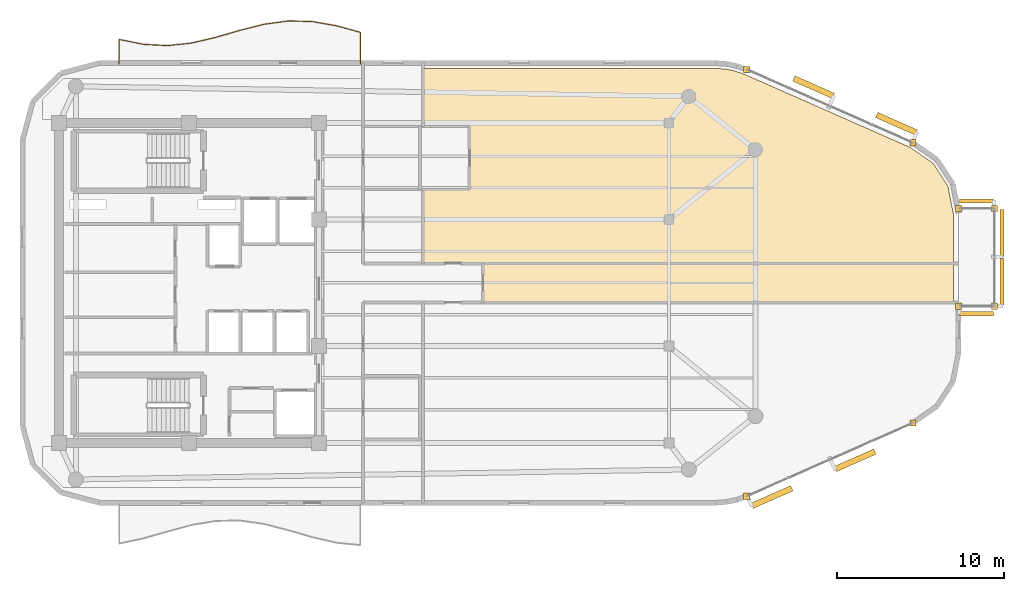
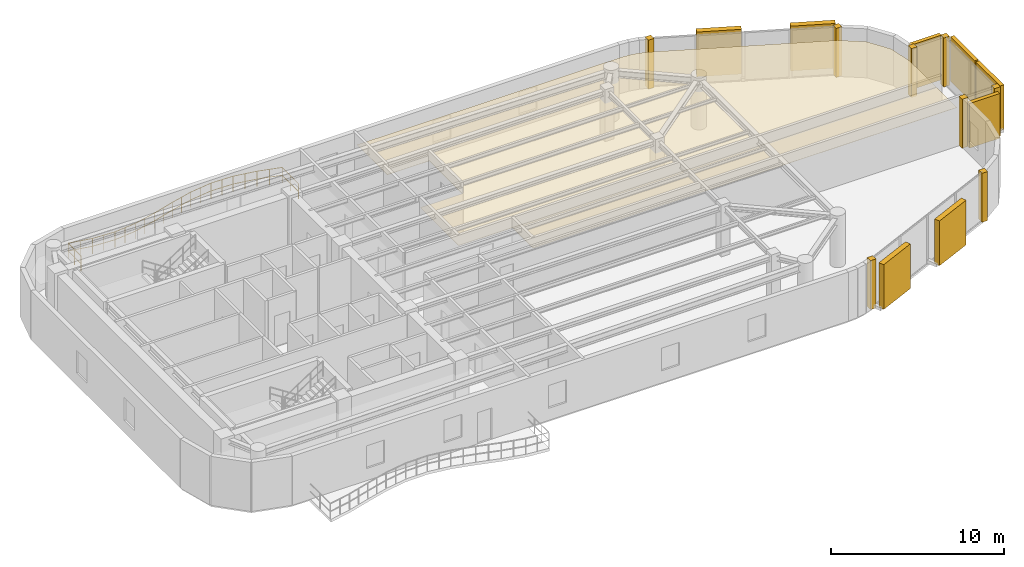
# One storey, part 13 of 13: 10 coverings, 8 shading devices, 1 railing.
"""IFC4 building model written with IfcOpenShell, lengths in metres."""

from ifc_helpers import new_model, si_unit, direction, frame, origin, origin_2d, place, context, subcontext, project, spatial, polyline, rectangle, circle, outline, extrude, material, layer, layer_set, type_object, element, save


model = new_model("IFC4")

# Units and contexts
model_context = context("Model", 3, precision=1e-05, world=origin(), true_north=direction((0.0, 1.0)))
body_context = subcontext(model_context, "Body", "Model", "MODEL_VIEW")
ifc_project = project(units=[si_unit("LENGTHUNIT", "METRE"), si_unit("AREAUNIT", "SQUARE_METRE"), si_unit("VOLUMEUNIT", "CUBIC_METRE"), si_unit("PLANEANGLEUNIT", "RADIAN"), si_unit("MASSUNIT", "GRAM", prefix="KILO")], contexts=[model_context])

# Site, building, storey
site_placement = place(None, origin())
site = spatial("IfcSite", under=ifc_project, at=site_placement, CompositionType="ELEMENT")
building_placement = place(site_placement, origin())
building = spatial("IfcBuilding", under=site, at=building_placement, Name="An Khanh Terracotta Commons", CompositionType="ELEMENT")
storey_placement = place(building_placement, frame((0.0, 0.0, 277.050048828125)))
storey = spatial("IfcBuildingStorey", under=building, at=storey_placement, Name="L72", CompositionType="ELEMENT", Elevation=277.050048828125)

# Coverings
ifc_material_1 = material(Name="Perforated Mineral-Fibre Acoustic Tile")
ifc_layer_1 = layer(ifc_material_1, 0.02001953125, Name="Perforated Mineral-Fibre Acoustic Tile")
ifc_layer_set_1 = layer_set([ifc_layer_1], Name="Perforated Mineral-Fibre Acoustic Tile")
covering_type_1 = type_object("IfcCoveringType", Name="CEIL-ACOUSTIC-18", PredefinedType="CEILING", material=ifc_layer_set_1)
covering_1_placement = place(storey_placement, frame((0.0, 0.0, 2.64990234375)))
element("IfcCovering", 1, at=covering_1_placement, inside=storey, type_object=covering_type_1, Name="L72 Collaborative Study Lounge Ceiling", PredefinedType="CEILING", context=body_context, shape_type="SweptSolid", body=[
    extrude(outline(polyline([(61.01904296875, 36.8798828125), (61.62109375, 36.837890625), (62.199951171875, 36.716064453125), (62.76806640625, 36.511962890625), (72.699951171875, 32.1298828125), (74.068115234375, 31.177978515625), (74.9609375, 29.80810546875), (75.280029296875, 28.1708984375), (75.280029296875, 25.179931640625), (47.050048828125, 25.179931640625), (43.449951171875, 25.179931640625), (43.449951171875, 29.60009765625), (46.25, 29.60009765625), (46.25, 33.39990234375), (43.449951171875, 33.39990234375), (43.449951171875, 36.8798828125), (61.01904296875, 36.8798828125)])), origin(), (0.0, 0.0, 1.0), 0.02001953125),
])
covering_2_placement = place(storey_placement, frame((0.0, 0.0, 2.64990234375)))
element("IfcCovering", 2, at=covering_2_placement, inside=storey, type_object=covering_type_1, Name="L72 Academic Seminar Room Ceiling", PredefinedType="CEILING", context=body_context, shape_type="SweptSolid", body=[
    extrude(outline(polyline([(75.280029296875, 22.820068359375), (47.050048828125, 22.820068359375), (47.050048828125, 25.179931640625), (75.280029296875, 25.179931640625), (75.280029296875, 22.820068359375)])), origin(), (0.0, 0.0, 1.0), 0.02001953125),
])
ifc_material_2 = material(Name="Fired Terracotta Rainscreen Cladding", Category="masonry")
ifc_layer_2 = layer(ifc_material_2, 0.080078125, Name="Fired Terracotta Rainscreen Cladding")
ifc_layer_set_2 = layer_set([ifc_layer_2], Name="Fired Terracotta Rainscreen Cladding")
covering_type_2 = type_object("IfcCoveringType", Name="COV-JAMB-TERRA", PredefinedType="CLADDING", material=ifc_layer_set_2)
for number, where, z_axis, x_axis, name in (
    (3, (62.886962890625, 11.19091796875, 0.0), (0.0, 0.0, 1.0), (1.0, 0.0, 0.0), "L72 CW-03 Curtain-Wall Jamb Closure JA"),
    (4, (72.85693359375, 15.590087890625, 0.0), (0.0, 0.0, 1.0), (1.0, 0.0, 0.0), "L72 CW-03 Curtain-Wall Jamb Closure JB"),
    (5, (77.75, 22.60009765625, 0.0), (0.0, 0.0, 1.0), (1.0, 0.0, 0.0), "L72 CW-04 Curtain-Wall Jamb Closure JA"),
    (6, (77.75, 28.469970703125, 0.0), (0.0, 0.0, 1.0), (1.0, 0.0, 0.0), "L72 CW-04 Curtain-Wall Jamb Closure JB"),
    (7, (75.60009765625, 22.60009765625, 0.0), (0.0, 0.0, 1.0), (1.0, 0.0, 0.0), "L72 CW-04 Curtain-Wall Jamb Closure JA"),
    (8, (75.60009765625, 28.469970703125, 0.0), (0.0, 0.0, 1.0), (1.0, 0.0, 0.0), "L72 CW-04 Curtain-Wall Jamb Closure JB"),
    (9, (72.85693359375, 32.409912109375, 0.0), (0.0, 0.0, 1.0), (1.0, 0.0, 0.0), "L72 CW-03 Curtain-Wall Jamb Closure JA"),
    (10, (62.886962890625, 36.80908203125, 0.0), (0.0, 0.0, 1.0), (1.0, 0.0, 0.0), "L72 CW-03 Curtain-Wall Jamb Closure JB"),
):
    element("IfcCovering", number, at=place(storey_placement, frame(where, z_axis=z_axis, x_axis=x_axis)), inside=storey, type_object=covering_type_2, Name=name, PredefinedType="CLADDING", context=body_context, shape_type="SweptSolid", body=[
        extrude(rectangle(XDim=0.3798828125, YDim=0.3798828125, at=origin_2d()), origin(), (0.0, 0.0, 1.0), 3.449951171875),
    ])

# Railing
ifc_material_3 = material(Name="Brushed Stainless Steel 316", Category="steel")
railing_type = type_object("IfcRailingType", Name="RAIL-BALUSTRADE-1100", PredefinedType="BALUSTRADE", material=ifc_material_3)
railing_placement = place(storey_placement, frame((39.699951171875, 37.139892578125, 0.0)))
element("IfcRailing", 11, at=railing_placement, inside=storey, type_object=railing_type, Name="L72 N Wave Balcony Guard Balustrade", PredefinedType="BALUSTRADE", context=body_context, shape_type="SweptSolid", body=[
    extrude(circle(Radius=0.02392578125, at=origin_2d()), frame((0.0, 0.0, 1.076171875), z_axis=(0.0, 1.0, 0.0), x_axis=(-1.0, 0.0, 0.0)), (0.0, 0.0, 1.0), 1.899169921875),
    extrude(circle(Radius=0.02392578125, at=origin_2d()), frame((0.0, 0.0, 0.52587890625), z_axis=(0.0, 1.0, 0.0), x_axis=(-1.0, 0.0, 0.0)), (0.0, 0.0, 1.0), 1.899169921875),
    extrude(circle(Radius=0.02392578125, at=origin_2d()), frame((0.0, 1.899169921875, 1.076171875), z_axis=(-0.964670050602, 0.263460990415, 0.0), x_axis=(-0.263460990415, -0.964670050602, 0.0)), (0.0, 0.0, 1.0), 1.503173828125),
    extrude(circle(Radius=0.02392578125, at=origin_2d()), frame((0.0, 1.899169921875, 0.52587890625), z_axis=(-0.964670050602, 0.263460990415, 0.0), x_axis=(-0.263460990415, -0.964670050602, 0.0)), (0.0, 0.0, 1.0), 1.503173828125),
    extrude(circle(Radius=0.02392578125, at=origin_2d()), frame((-1.449951171875, 2.295166015625, 1.076171875), z_axis=(-0.984898537106, 0.173132526139, 0.0), x_axis=(-0.173132526139, -0.984898537106, 0.0)), (0.0, 0.0, 1.0), 1.47216796875),
    extrude(circle(Radius=0.02392578125, at=origin_2d()), frame((-1.449951171875, 2.295166015625, 0.52587890625), z_axis=(-0.984898537106, 0.173132526139, 0.0), x_axis=(-0.173132526139, -0.984898537106, 0.0)), (0.0, 0.0, 1.0), 1.47216796875),
    extrude(circle(Radius=0.02392578125, at=origin_2d()), frame((-2.89990234375, 2.550048828125, 1.076171875), z_axis=(-0.999706183013, 0.02423938211, 0.0), x_axis=(-0.02423938211, -0.999706183013, 0.0)), (0.0, 0.0, 1.0), 1.450439453125),
    extrude(circle(Radius=0.02392578125, at=origin_2d()), frame((-2.89990234375, 2.550048828125, 0.52587890625), z_axis=(-0.999706183013, 0.02423938211, 0.0), x_axis=(-0.02423938211, -0.999706183013, 0.0)), (0.0, 0.0, 1.0), 1.450439453125),
    extrude(circle(Radius=0.02392578125, at=origin_2d()), frame((-4.349853515625, 2.585205078125, 1.076171875), z_axis=(-0.990807823932, -0.135276960473, 0.0), x_axis=(0.135276960473, -0.990807823932, 0.0)), (0.0, 0.0, 1.0), 1.463623046875),
    extrude(circle(Radius=0.02392578125, at=origin_2d()), frame((-4.349853515625, 2.585205078125, 0.52587890625), z_axis=(-0.990807823932, -0.135276960473, 0.0), x_axis=(0.135276960473, -0.990807823932, 0.0)), (0.0, 0.0, 1.0), 1.463623046875),
    extrude(circle(Radius=0.02392578125, at=origin_2d()), frame((-5.800048828125, 2.38720703125, 1.076171875), z_axis=(-0.969398675483, -0.245491767625, 0.0), x_axis=(0.245491767625, -0.969398675483, 0.0)), (0.0, 0.0, 1.0), 1.49560546875),
    extrude(circle(Radius=0.02392578125, at=origin_2d()), frame((-5.800048828125, 2.38720703125, 0.52587890625), z_axis=(-0.969398675483, -0.245491767625, 0.0), x_axis=(0.245491767625, -0.969398675483, 0.0)), (0.0, 0.0, 1.0), 1.49560546875),
    extrude(circle(Radius=0.02392578125, at=origin_2d()), frame((-7.25, 2.02001953125, 1.076171875), z_axis=(-0.960529016595, -0.278179812854, 0.0), x_axis=(0.278179812854, -0.960529016595, 0.0)), (0.0, 0.0, 1.0), 1.509521484375),
    extrude(circle(Radius=0.02392578125, at=origin_2d()), frame((-7.25, 2.02001953125, 0.52587890625), z_axis=(-0.960529016595, -0.278179812854, 0.0), x_axis=(0.278179812854, -0.960529016595, 0.0)), (0.0, 0.0, 1.0), 1.509521484375),
    extrude(circle(Radius=0.02392578125, at=origin_2d()), frame((-8.699951171875, 1.60009765625, 1.076171875), z_axis=(-0.973285904514, -0.229596489682, 0.0), x_axis=(0.229596489682, -0.973285904514, 0.0)), (0.0, 0.0, 1.0), 1.48974609375),
    extrude(circle(Radius=0.02392578125, at=origin_2d()), frame((-8.699951171875, 1.60009765625, 0.52587890625), z_axis=(-0.973285904514, -0.229596489682, 0.0), x_axis=(0.229596489682, -0.973285904514, 0.0)), (0.0, 0.0, 1.0), 1.48974609375),
    extrude(circle(Radius=0.02392578125, at=origin_2d()), frame((-10.14990234375, 1.258056640625, 1.076171875), z_axis=(-0.994332565033, -0.106314392793, 0.0), x_axis=(0.106314392793, -0.994332565033, 0.0)), (0.0, 0.0, 1.0), 1.458251953125),
    extrude(circle(Radius=0.02392578125, at=origin_2d()), frame((-10.14990234375, 1.258056640625, 0.52587890625), z_axis=(-0.994332565033, -0.106314392793, 0.0), x_axis=(0.106314392793, -0.994332565033, 0.0)), (0.0, 0.0, 1.0), 1.458251953125),
    extrude(circle(Radius=0.02392578125, at=origin_2d()), frame((-11.599853515625, 1.10302734375, 1.076171875), z_axis=(-0.998441678, 0.05580515776, 0.0), x_axis=(-0.05580515776, -0.998441678, 0.0)), (0.0, 0.0, 1.0), 1.452392578125),
    extrude(circle(Radius=0.02392578125, at=origin_2d()), frame((-11.599853515625, 1.10302734375, 0.52587890625), z_axis=(-0.998441678, 0.05580515776, 0.0), x_axis=(-0.05580515776, -0.998441678, 0.0)), (0.0, 0.0, 1.0), 1.452392578125),
    extrude(circle(Radius=0.02392578125, at=origin_2d()), frame((-13.050048828125, 1.18408203125, 1.076171875), z_axis=(-0.980447110172, 0.196782784194, 0.0), x_axis=(-0.196782784194, -0.980447110172, 0.0)), (0.0, 0.0, 1.0), 1.478759765625),
    extrude(circle(Radius=0.02392578125, at=origin_2d()), frame((-13.050048828125, 1.18408203125, 0.52587890625), z_axis=(-0.980447110172, 0.196782784194, 0.0), x_axis=(-0.196782784194, -0.980447110172, 0.0)), (0.0, 0.0, 1.0), 1.478759765625),
    extrude(circle(Radius=0.02392578125, at=origin_2d()), frame((-14.5, 1.47509765625, 1.076171875), z_axis=(0.0, -1.0, 0.0), x_axis=(1.0, 0.0, 0.0)), (0.0, 0.0, 1.0), 1.47509765625),
    extrude(circle(Radius=0.02392578125, at=origin_2d()), frame((-14.5, 1.47509765625, 0.52587890625), z_axis=(0.0, -1.0, 0.0), x_axis=(1.0, 0.0, 0.0)), (0.0, 0.0, 1.0), 1.47509765625),
    extrude(circle(Radius=0.02099609375, at=origin_2d()), origin(), (0.0, 0.0, 1.0), 1.052001953125),
    extrude(circle(Radius=0.02099609375, at=origin_2d()), frame((0.0, 0.94970703125, 0.0)), (0.0, 0.0, 1.0), 1.052001953125),
    extrude(circle(Radius=0.02099609375, at=origin_2d()), frame((0.0, 1.899169921875, 0.0)), (0.0, 0.0, 1.0), 1.052001953125),
    extrude(circle(Radius=0.02099609375, at=origin_2d()), frame((-0.72509765625, 2.09716796875, 0.0)), (0.0, 0.0, 1.0), 1.052001953125),
    extrude(circle(Radius=0.02099609375, at=origin_2d()), frame((-1.449951171875, 2.295166015625, 0.0)), (0.0, 0.0, 1.0), 1.052001953125),
    extrude(circle(Radius=0.02099609375, at=origin_2d()), frame((-2.1748046875, 2.422607421875, 0.0)), (0.0, 0.0, 1.0), 1.052001953125),
    extrude(circle(Radius=0.02099609375, at=origin_2d()), frame((-2.89990234375, 2.550048828125, 0.0)), (0.0, 0.0, 1.0), 1.052001953125),
    extrude(circle(Radius=0.02099609375, at=origin_2d()), frame((-3.625, 2.567626953125, 0.0)), (0.0, 0.0, 1.0), 1.052001953125),
    extrude(circle(Radius=0.02099609375, at=origin_2d()), frame((-4.349853515625, 2.585205078125, 0.0)), (0.0, 0.0, 1.0), 1.052001953125),
    extrude(circle(Radius=0.02099609375, at=origin_2d()), frame((-5.074951171875, 2.486328125, 0.0)), (0.0, 0.0, 1.0), 1.052001953125),
    extrude(circle(Radius=0.02099609375, at=origin_2d()), frame((-5.800048828125, 2.38720703125, 0.0)), (0.0, 0.0, 1.0), 1.052001953125),
    extrude(circle(Radius=0.02099609375, at=origin_2d()), frame((-6.52490234375, 2.20361328125, 0.0)), (0.0, 0.0, 1.0), 1.052001953125),
    extrude(circle(Radius=0.02099609375, at=origin_2d()), frame((-7.25, 2.02001953125, 0.0)), (0.0, 0.0, 1.0), 1.052001953125),
    extrude(circle(Radius=0.02099609375, at=origin_2d()), frame((-7.97509765625, 1.81005859375, 0.0)), (0.0, 0.0, 1.0), 1.052001953125),
    extrude(circle(Radius=0.02099609375, at=origin_2d()), frame((-8.699951171875, 1.60009765625, 0.0)), (0.0, 0.0, 1.0), 1.052001953125),
    extrude(circle(Radius=0.02099609375, at=origin_2d()), frame((-9.4248046875, 1.42919921875, 0.0)), (0.0, 0.0, 1.0), 1.052001953125),
    extrude(circle(Radius=0.02099609375, at=origin_2d()), frame((-10.14990234375, 1.258056640625, 0.0)), (0.0, 0.0, 1.0), 1.052001953125),
    extrude(circle(Radius=0.02099609375, at=origin_2d()), frame((-10.875, 1.1806640625, 0.0)), (0.0, 0.0, 1.0), 1.052001953125),
    extrude(circle(Radius=0.02099609375, at=origin_2d()), frame((-11.599853515625, 1.10302734375, 0.0)), (0.0, 0.0, 1.0), 1.052001953125),
    extrude(circle(Radius=0.02099609375, at=origin_2d()), frame((-12.324951171875, 1.1435546875, 0.0)), (0.0, 0.0, 1.0), 1.052001953125),
    extrude(circle(Radius=0.02099609375, at=origin_2d()), frame((-13.050048828125, 1.18408203125, 0.0)), (0.0, 0.0, 1.0), 1.052001953125),
    extrude(circle(Radius=0.02099609375, at=origin_2d()), frame((-13.77490234375, 1.32958984375, 0.0)), (0.0, 0.0, 1.0), 1.052001953125),
    extrude(circle(Radius=0.02099609375, at=origin_2d()), frame((-14.5, 1.47509765625, 0.0)), (0.0, 0.0, 1.0), 1.052001953125),
    extrude(circle(Radius=0.02099609375, at=origin_2d()), frame((-14.5, 0.737548828125, 0.0)), (0.0, 0.0, 1.0), 1.052001953125),
    extrude(circle(Radius=0.02099609375, at=origin_2d()), frame((-14.5, 0.0, 0.0)), (0.0, 0.0, 1.0), 1.052001953125),
])

# Shading devices
ifc_material_4 = material(Name="Warm Hardwood Timber-Finish Aluminium", Category="wood")
shading_device_type_1 = type_object("IfcShadingDeviceType", Name="Shifted Box Timber-Toned Louvre Screen", PredefinedType="USERDEFINED", material=ifc_material_4)
for number, where, z_axis, x_axis, name in (
    (12, (78.199951171875, 24.068115234375, 0.14990234375), (0.0, 0.0, 1.0), (0.0, 1.0, 0.0), "L72 Louvre Screen 1"),
    (13, (78.199951171875, 27.001953125, 0.14990234375), (0.0, 0.0, 1.0), (0.0, 1.0, 0.0), "L72 Louvre Screen 2"),
):
    element("IfcShadingDevice", number, at=place(storey_placement, frame(where, z_axis=z_axis, x_axis=x_axis)), inside=storey, type_object=shading_device_type_1, Name=name, ObjectType="LOUVRE", PredefinedType="USERDEFINED", context=body_context, shape_type="SweptSolid", body=[
        extrude(rectangle(XDim=2.81494140625, YDim=0.25, at=origin_2d()), origin(), (0.0, 0.0, 1.0), 3.14990234375),
    ])
for number, where, z_axis, x_axis, name in (
    (14, (76.675048828125, 22.14990234375, 0.14990234375), (0.0, 0.0, 1.0), (1.0, 0.0, 0.0), "L72 Louvre Screen 1"),
    (15, (76.675048828125, 28.919921875, 0.14990234375), (0.0, 0.0, 1.0), (-1.0, 0.0, 0.0), "L72 Louvre Screen 1"),
):
    element("IfcShadingDevice", number, at=place(storey_placement, frame(where, z_axis=z_axis, x_axis=x_axis)), inside=storey, type_object=shading_device_type_1, Name=name, ObjectType="LOUVRE", PredefinedType="USERDEFINED", context=body_context, shape_type="SweptSolid", body=[
        extrude(rectangle(XDim=2.030029296875, YDim=0.25, at=origin_2d()), origin(), (0.0, 0.0, 1.0), 3.14990234375),
    ])
ifc_material_5 = material(Name="Extruded Fired Terracotta", Category="masonry")
shading_device_type_2 = type_object("IfcShadingDeviceType", Name="Terracotta Baguette Screen Assembly", PredefinedType="USERDEFINED", material=ifc_material_5)
for number, where, z_axis, x_axis, name in (
    (16, (64.39599609375, 11.14599609375, 0.14990234375), (0.0, 0.0, 1.0), (0.914901853201, 0.403676354285, 0.0), "L72 Terracotta Baguette Screen 1"),
    (17, (69.381103515625, 13.345947265625, 0.14990234375), (0.0, 0.0, 1.0), (0.914901853201, 0.403676354285, 0.0), "L72 Terracotta Baguette Screen 3"),
    (18, (71.873046875, 33.554931640625, 0.14990234375), (0.0, 0.0, 1.0), (-0.914901853201, 0.403676354285, 0.0), "L72 Terracotta Baguette Screen 1"),
    (19, (66.887939453125, 35.75390625, 0.14990234375), (0.0, 0.0, 1.0), (-0.914901853201, 0.403676354285, 0.0), "L72 Terracotta Baguette Screen 3"),
):
    element("IfcShadingDevice", number, at=place(storey_placement, frame(where, z_axis=z_axis, x_axis=x_axis)), inside=storey, type_object=shading_device_type_2, Name=name, ObjectType="BAGUETTE", PredefinedType="USERDEFINED", context=body_context, shape_type="SweptSolid", body=[
        extrude(rectangle(XDim=2.60400390625, YDim=0.35009765625, at=origin_2d()), origin(), (0.0, 0.0, 1.0), 3.14990234375),
    ])

save(model, "model.ifc")
